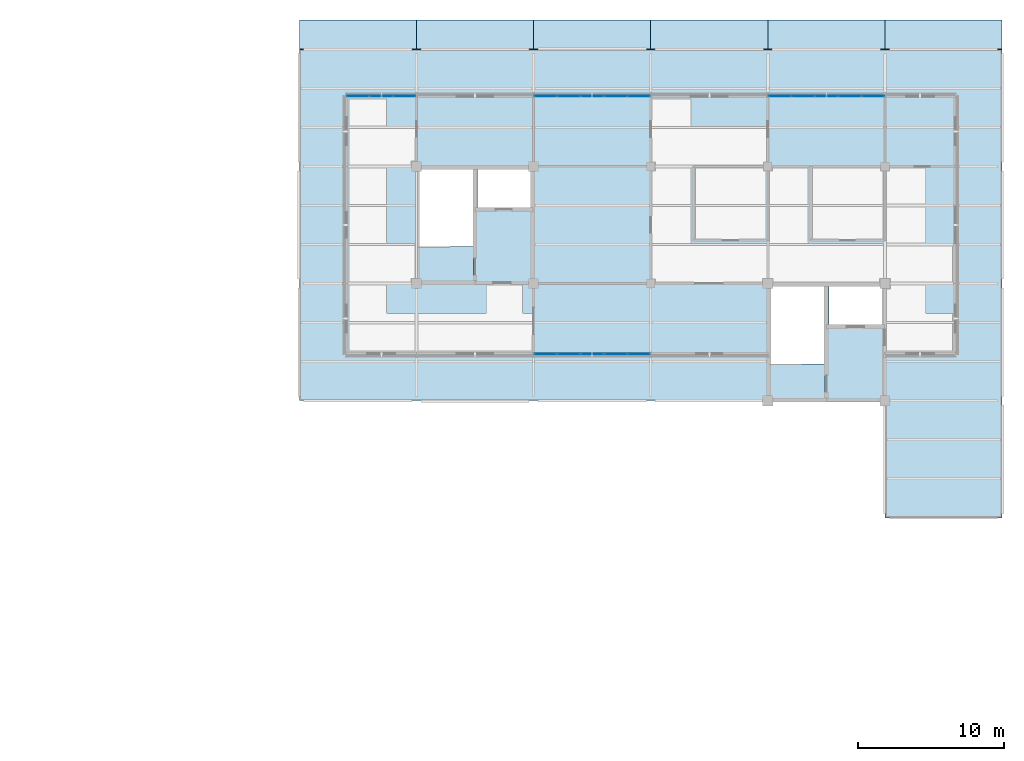
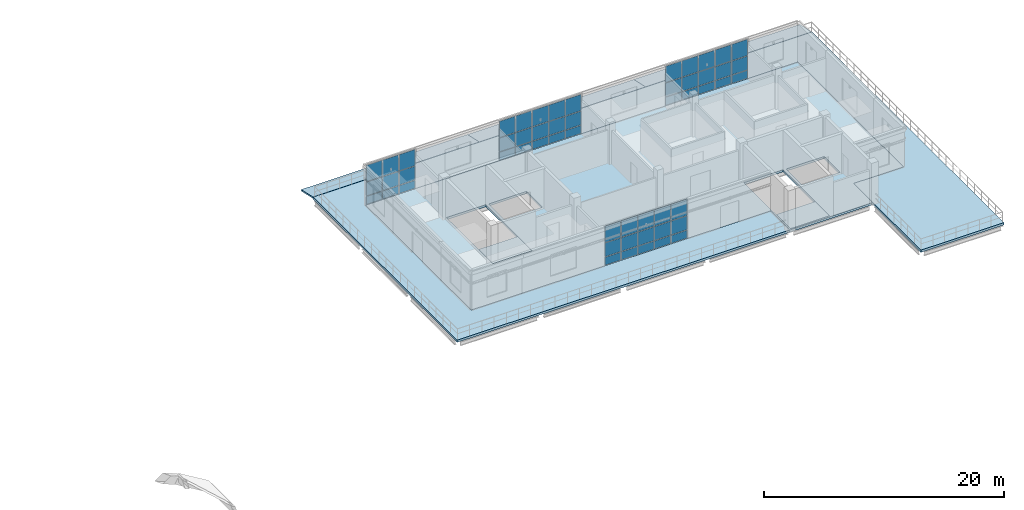
# One storey, part 14 of 24: 54 plates, 10 slabs, 4 elements without a shape of their own.
"""IFC4 building model written with IfcOpenShell, lengths in metres."""

from ifc_helpers import new_model, si_unit, derived_unit, direction, frame, origin, origin_2d, place, context, subcontext, project, spatial, polyline, rectangle, outline, extrude, material, layer, layer_set, type_object, element, aggregate, save


model = new_model("IFC4")

# Units and contexts
model_context = context("Model", 3, precision=1e-05, world=origin(), true_north=direction((0.0, 1.0)))
body_context = subcontext(model_context, "Body", "Model", "MODEL_VIEW")
ifc_project = project(units=[si_unit("LENGTHUNIT", "METRE"), si_unit("AREAUNIT", "SQUARE_METRE"), si_unit("VOLUMEUNIT", "CUBIC_METRE"), si_unit("PLANEANGLEUNIT", "RADIAN"), si_unit("MASSUNIT", "GRAM", prefix="KILO"), derived_unit("THERMALTRANSMITTANCEUNIT", [(si_unit("MASSUNIT", "GRAM", prefix="KILO"), 1), (si_unit("TIMEUNIT", "SECOND"), -3), (si_unit("THERMODYNAMICTEMPERATUREUNIT", "KELVIN"), -1)])], contexts=[model_context])

# Site, building, storey
site_placement = place(None, origin())
site = spatial("IfcSite", under=ifc_project, at=site_placement, CompositionType="ELEMENT")
building_placement = place(site_placement, origin())
building = spatial("IfcBuilding", under=site, at=building_placement, Name="Veyamyaing Civic Hall", CompositionType="ELEMENT")
storey_placement = place(building_placement, frame((0.0, 0.0, 25.739990234375)))
storey = spatial("IfcBuildingStorey", under=building, at=storey_placement, Name="L06", CompositionType="ELEMENT", Elevation=25.739990234375)

# Curtain wall, plates
ifc_material_1 = material(Name="Anodised aluminium 6063-T6", Category="aluminium")
ifc_layer_1 = layer(ifc_material_1, 0.159912109375, Name="Anodised aluminium 6063-T6")
ifc_layer_set_1 = layer_set([ifc_layer_1], Name="Anodised aluminium 6063-T6")
curtain_wall_type = type_object("IfcCurtainWallType", Name="CW-05", PredefinedType="NOTDEFINED", material=ifc_layer_set_1)
curtain_wall_1_placement = place(storey_placement, origin())
curtain_wall_1 = element("IfcCurtainWall", 1, at=curtain_wall_1_placement, inside=storey, type_object=curtain_wall_type, Name="Executive terrace curtain wall CW-05 L06-NE-S-2", PredefinedType="NOTDEFINED")
ifc_material_2 = material(Name="Low-E insulated glass", Category="glass")
ifc_layer_2 = layer(ifc_material_2, 0.0400390625, Name="Low-E insulated glass")
ifc_layer_set_2 = layer_set([ifc_layer_2], Name="Low-E insulated glass")
plate_type = type_object("IfcPlateType", Name="CWP-05", PredefinedType="CURTAIN_PANEL", material=ifc_layer_set_2)
plate_1_placement = place(storey_placement, frame((144.816162109375, 91.199951171875, 0.06494140625), z_axis=(0.0, 0.0, 1.0), x_axis=(1.0, 0.0, 0.0)))
plate_1 = element("IfcPlate", 2, at=plate_1_placement, type_object=plate_type, Name="CW-05 panel 1.1", PredefinedType="CURTAIN_PANEL", context=body_context, shape_type="SweptSolid", body=[
    extrude(rectangle(XDim=1.50244140625, YDim=0.0400390625, at=origin_2d()), origin(), (0.0, 0.0, 1.0), 0.802490234375),
])
plate_2_placement = place(storey_placement, frame((144.816162109375, 91.199951171875, 0.9326171875), z_axis=(0.0, 0.0, 1.0), x_axis=(1.0, 0.0, 0.0)))
plate_2 = element("IfcPlate", 3, at=plate_2_placement, type_object=plate_type, Name="CW-05 panel 1.2", PredefinedType="CURTAIN_PANEL", context=body_context, shape_type="SweptSolid", body=[
    extrude(rectangle(XDim=1.50244140625, YDim=0.0400390625, at=origin_2d()), origin(), (0.0, 0.0, 1.0), 1.385009765625),
])
plate_3_placement = place(storey_placement, frame((144.816162109375, 91.199951171875, 2.382568359375), z_axis=(0.0, 0.0, 1.0), x_axis=(1.0, 0.0, 0.0)))
plate_3 = element("IfcPlate", 4, at=plate_3_placement, type_object=plate_type, Name="CW-05 panel 1.3", PredefinedType="CURTAIN_PANEL", context=body_context, shape_type="SweptSolid", body=[
    extrude(rectangle(XDim=1.50244140625, YDim=0.0400390625, at=origin_2d()), origin(), (0.0, 0.0, 1.0), 1.642578125),
])
plate_4_placement = place(storey_placement, frame((146.39990234375, 91.199951171875, 0.06494140625), z_axis=(0.0, 0.0, 1.0), x_axis=(1.0, 0.0, 0.0)))
plate_4 = element("IfcPlate", 5, at=plate_4_placement, type_object=plate_type, Name="CW-05 panel 2.1", PredefinedType="CURTAIN_PANEL", context=body_context, shape_type="SweptSolid", body=[
    extrude(rectangle(XDim=1.534912109375, YDim=0.0400390625, at=origin_2d()), origin(), (0.0, 0.0, 1.0), 0.802490234375),
])
plate_5_placement = place(storey_placement, frame((146.39990234375, 91.199951171875, 0.9326171875), z_axis=(0.0, 0.0, 1.0), x_axis=(1.0, 0.0, 0.0)))
plate_5 = element("IfcPlate", 6, at=plate_5_placement, type_object=plate_type, Name="CW-05 panel 2.2", PredefinedType="CURTAIN_PANEL", context=body_context, shape_type="SweptSolid", body=[
    extrude(rectangle(XDim=1.534912109375, YDim=0.0400390625, at=origin_2d()), origin(), (0.0, 0.0, 1.0), 1.385009765625),
])
plate_6_placement = place(storey_placement, frame((146.39990234375, 91.199951171875, 2.382568359375), z_axis=(0.0, 0.0, 1.0), x_axis=(1.0, 0.0, 0.0)))
plate_6 = element("IfcPlate", 7, at=plate_6_placement, type_object=plate_type, Name="CW-05 panel 2.3", PredefinedType="CURTAIN_PANEL", context=body_context, shape_type="SweptSolid", body=[
    extrude(rectangle(XDim=1.534912109375, YDim=0.0400390625, at=origin_2d()), origin(), (0.0, 0.0, 1.0), 1.642578125),
])
plate_7_placement = place(storey_placement, frame((148.0, 91.199951171875, 0.06494140625), z_axis=(0.0, 0.0, 1.0), x_axis=(1.0, 0.0, 0.0)))
plate_7 = element("IfcPlate", 8, at=plate_7_placement, type_object=plate_type, Name="CW-05 panel 3.1", PredefinedType="CURTAIN_PANEL", context=body_context, shape_type="SweptSolid", body=[
    extrude(rectangle(XDim=1.534912109375, YDim=0.0400390625, at=origin_2d()), origin(), (0.0, 0.0, 1.0), 0.802490234375),
])
plate_8_placement = place(storey_placement, frame((148.0, 91.199951171875, 0.9326171875), z_axis=(0.0, 0.0, 1.0), x_axis=(1.0, 0.0, 0.0)))
plate_8 = element("IfcPlate", 9, at=plate_8_placement, type_object=plate_type, Name="CW-05 panel 3.2", PredefinedType="CURTAIN_PANEL", context=body_context, shape_type="SweptSolid", body=[
    extrude(rectangle(XDim=1.534912109375, YDim=0.0400390625, at=origin_2d()), origin(), (0.0, 0.0, 1.0), 1.385009765625),
])
plate_9_placement = place(storey_placement, frame((148.0, 91.199951171875, 2.382568359375), z_axis=(0.0, 0.0, 1.0), x_axis=(1.0, 0.0, 0.0)))
plate_9 = element("IfcPlate", 10, at=plate_9_placement, type_object=plate_type, Name="CW-05 panel 3.3", PredefinedType="CURTAIN_PANEL", context=body_context, shape_type="SweptSolid", body=[
    extrude(rectangle(XDim=1.534912109375, YDim=0.0400390625, at=origin_2d()), origin(), (0.0, 0.0, 1.0), 1.642578125),
])
plate_10_placement = place(storey_placement, frame((149.60009765625, 91.199951171875, 0.06494140625), z_axis=(0.0, 0.0, 1.0), x_axis=(1.0, 0.0, 0.0)))
plate_10 = element("IfcPlate", 11, at=plate_10_placement, type_object=plate_type, Name="CW-05 panel 4.1", PredefinedType="CURTAIN_PANEL", context=body_context, shape_type="SweptSolid", body=[
    extrude(rectangle(XDim=1.534912109375, YDim=0.0400390625, at=origin_2d()), origin(), (0.0, 0.0, 1.0), 0.802490234375),
])
plate_11_placement = place(storey_placement, frame((149.60009765625, 91.199951171875, 0.9326171875), z_axis=(0.0, 0.0, 1.0), x_axis=(1.0, 0.0, 0.0)))
plate_11 = element("IfcPlate", 12, at=plate_11_placement, type_object=plate_type, Name="CW-05 panel 4.2", PredefinedType="CURTAIN_PANEL", context=body_context, shape_type="SweptSolid", body=[
    extrude(rectangle(XDim=1.534912109375, YDim=0.0400390625, at=origin_2d()), origin(), (0.0, 0.0, 1.0), 1.385009765625),
])
plate_12_placement = place(storey_placement, frame((149.60009765625, 91.199951171875, 2.382568359375), z_axis=(0.0, 0.0, 1.0), x_axis=(1.0, 0.0, 0.0)))
plate_12 = element("IfcPlate", 13, at=plate_12_placement, type_object=plate_type, Name="CW-05 panel 4.3", PredefinedType="CURTAIN_PANEL", context=body_context, shape_type="SweptSolid", body=[
    extrude(rectangle(XDim=1.534912109375, YDim=0.0400390625, at=origin_2d()), origin(), (0.0, 0.0, 1.0), 1.642578125),
])
plate_13_placement = place(storey_placement, frame((151.183837890625, 91.199951171875, 0.06494140625), z_axis=(0.0, 0.0, 1.0), x_axis=(1.0, 0.0, 0.0)))
plate_13 = element("IfcPlate", 14, at=plate_13_placement, type_object=plate_type, Name="CW-05 panel 5.1", PredefinedType="CURTAIN_PANEL", context=body_context, shape_type="SweptSolid", body=[
    extrude(rectangle(XDim=1.50244140625, YDim=0.0400390625, at=origin_2d()), origin(), (0.0, 0.0, 1.0), 0.802490234375),
])
plate_14_placement = place(storey_placement, frame((151.183837890625, 91.199951171875, 0.9326171875), z_axis=(0.0, 0.0, 1.0), x_axis=(1.0, 0.0, 0.0)))
plate_14 = element("IfcPlate", 15, at=plate_14_placement, type_object=plate_type, Name="CW-05 panel 5.2", PredefinedType="CURTAIN_PANEL", context=body_context, shape_type="SweptSolid", body=[
    extrude(rectangle(XDim=1.50244140625, YDim=0.0400390625, at=origin_2d()), origin(), (0.0, 0.0, 1.0), 1.385009765625),
])
plate_15_placement = place(storey_placement, frame((151.183837890625, 91.199951171875, 2.382568359375), z_axis=(0.0, 0.0, 1.0), x_axis=(1.0, 0.0, 0.0)))
plate_15 = element("IfcPlate", 16, at=plate_15_placement, type_object=plate_type, Name="CW-05 panel 5.3", PredefinedType="CURTAIN_PANEL", context=body_context, shape_type="SweptSolid", body=[
    extrude(rectangle(XDim=1.50244140625, YDim=0.0400390625, at=origin_2d()), origin(), (0.0, 0.0, 1.0), 1.642578125),
])
aggregate(curtain_wall_1, [plate_1, plate_2, plate_3, plate_4, plate_5, plate_6, plate_7, plate_8, plate_9, plate_10, plate_11, plate_12, plate_13, plate_14, plate_15])

curtain_wall_2_placement = place(storey_placement, origin())
curtain_wall_2 = element("IfcCurtainWall", 17, at=curtain_wall_2_placement, inside=storey, type_object=curtain_wall_type, Name="Executive terrace curtain wall CW-05 L06-NE-N-0", PredefinedType="NOTDEFINED")
plate_16_placement = place(storey_placement, frame((132.016357421875, 108.800048828125, 0.06494140625), z_axis=(0.0, 0.0, 1.0), x_axis=(1.0, 0.0, 0.0)))
plate_16 = element("IfcPlate", 18, at=plate_16_placement, type_object=plate_type, Name="CW-05 panel 1.1", PredefinedType="CURTAIN_PANEL", context=body_context, shape_type="SweptSolid", body=[
    extrude(rectangle(XDim=1.50244140625, YDim=0.0400390625, at=origin_2d()), origin(), (0.0, 0.0, 1.0), 0.802490234375),
])
plate_17_placement = place(storey_placement, frame((132.016357421875, 108.800048828125, 0.9326171875), z_axis=(0.0, 0.0, 1.0), x_axis=(1.0, 0.0, 0.0)))
plate_17 = element("IfcPlate", 19, at=plate_17_placement, type_object=plate_type, Name="CW-05 panel 1.2", PredefinedType="CURTAIN_PANEL", context=body_context, shape_type="SweptSolid", body=[
    extrude(rectangle(XDim=1.50244140625, YDim=0.0400390625, at=origin_2d()), origin(), (0.0, 0.0, 1.0), 1.385009765625),
])
plate_18_placement = place(storey_placement, frame((132.016357421875, 108.800048828125, 2.382568359375), z_axis=(0.0, 0.0, 1.0), x_axis=(1.0, 0.0, 0.0)))
plate_18 = element("IfcPlate", 20, at=plate_18_placement, type_object=plate_type, Name="CW-05 panel 1.3", PredefinedType="CURTAIN_PANEL", context=body_context, shape_type="SweptSolid", body=[
    extrude(rectangle(XDim=1.50244140625, YDim=0.0400390625, at=origin_2d()), origin(), (0.0, 0.0, 1.0), 1.642578125),
])
plate_19_placement = place(storey_placement, frame((133.60009765625, 108.800048828125, 0.06494140625), z_axis=(0.0, 0.0, 1.0), x_axis=(1.0, 0.0, 0.0)))
plate_19 = element("IfcPlate", 21, at=plate_19_placement, type_object=plate_type, Name="CW-05 panel 2.1", PredefinedType="CURTAIN_PANEL", context=body_context, shape_type="SweptSolid", body=[
    extrude(rectangle(XDim=1.534912109375, YDim=0.0400390625, at=origin_2d()), origin(), (0.0, 0.0, 1.0), 0.802490234375),
])
plate_20_placement = place(storey_placement, frame((133.60009765625, 108.800048828125, 0.9326171875), z_axis=(0.0, 0.0, 1.0), x_axis=(1.0, 0.0, 0.0)))
plate_20 = element("IfcPlate", 22, at=plate_20_placement, type_object=plate_type, Name="CW-05 panel 2.2", PredefinedType="CURTAIN_PANEL", context=body_context, shape_type="SweptSolid", body=[
    extrude(rectangle(XDim=1.534912109375, YDim=0.0400390625, at=origin_2d()), origin(), (0.0, 0.0, 1.0), 1.385009765625),
])
plate_21_placement = place(storey_placement, frame((133.60009765625, 108.800048828125, 2.382568359375), z_axis=(0.0, 0.0, 1.0), x_axis=(1.0, 0.0, 0.0)))
plate_21 = element("IfcPlate", 23, at=plate_21_placement, type_object=plate_type, Name="CW-05 panel 2.3", PredefinedType="CURTAIN_PANEL", context=body_context, shape_type="SweptSolid", body=[
    extrude(rectangle(XDim=1.534912109375, YDim=0.0400390625, at=origin_2d()), origin(), (0.0, 0.0, 1.0), 1.642578125),
])
plate_22_placement = place(storey_placement, frame((135.183837890625, 108.800048828125, 0.06494140625), z_axis=(0.0, 0.0, 1.0), x_axis=(1.0, 0.0, 0.0)))
plate_22 = element("IfcPlate", 24, at=plate_22_placement, type_object=plate_type, Name="CW-05 panel 3.1", PredefinedType="CURTAIN_PANEL", context=body_context, shape_type="SweptSolid", body=[
    extrude(rectangle(XDim=1.50244140625, YDim=0.0400390625, at=origin_2d()), origin(), (0.0, 0.0, 1.0), 0.802490234375),
])
plate_23_placement = place(storey_placement, frame((135.183837890625, 108.800048828125, 0.9326171875), z_axis=(0.0, 0.0, 1.0), x_axis=(1.0, 0.0, 0.0)))
plate_23 = element("IfcPlate", 25, at=plate_23_placement, type_object=plate_type, Name="CW-05 panel 3.2", PredefinedType="CURTAIN_PANEL", context=body_context, shape_type="SweptSolid", body=[
    extrude(rectangle(XDim=1.50244140625, YDim=0.0400390625, at=origin_2d()), origin(), (0.0, 0.0, 1.0), 1.385009765625),
])
plate_24_placement = place(storey_placement, frame((135.183837890625, 108.800048828125, 2.382568359375), z_axis=(0.0, 0.0, 1.0), x_axis=(1.0, 0.0, 0.0)))
plate_24 = element("IfcPlate", 26, at=plate_24_placement, type_object=plate_type, Name="CW-05 panel 3.3", PredefinedType="CURTAIN_PANEL", context=body_context, shape_type="SweptSolid", body=[
    extrude(rectangle(XDim=1.50244140625, YDim=0.0400390625, at=origin_2d()), origin(), (0.0, 0.0, 1.0), 1.642578125),
])
aggregate(curtain_wall_2, [plate_16, plate_17, plate_18, plate_19, plate_20, plate_21, plate_22, plate_23, plate_24])

curtain_wall_3_placement = place(storey_placement, origin())
curtain_wall_3 = element("IfcCurtainWall", 27, at=curtain_wall_3_placement, inside=storey, type_object=curtain_wall_type, Name="Executive terrace curtain wall CW-05 L06-NE-N-2", PredefinedType="NOTDEFINED")
plate_25_placement = place(storey_placement, frame((144.816162109375, 108.800048828125, 0.06494140625), z_axis=(0.0, 0.0, 1.0), x_axis=(1.0, 0.0, 0.0)))
plate_25 = element("IfcPlate", 28, at=plate_25_placement, type_object=plate_type, Name="CW-05 panel 1.1", PredefinedType="CURTAIN_PANEL", context=body_context, shape_type="SweptSolid", body=[
    extrude(rectangle(XDim=1.50244140625, YDim=0.0400390625, at=origin_2d()), origin(), (0.0, 0.0, 1.0), 0.802490234375),
])
plate_26_placement = place(storey_placement, frame((144.816162109375, 108.800048828125, 0.9326171875), z_axis=(0.0, 0.0, 1.0), x_axis=(1.0, 0.0, 0.0)))
plate_26 = element("IfcPlate", 29, at=plate_26_placement, type_object=plate_type, Name="CW-05 panel 1.2", PredefinedType="CURTAIN_PANEL", context=body_context, shape_type="SweptSolid", body=[
    extrude(rectangle(XDim=1.50244140625, YDim=0.0400390625, at=origin_2d()), origin(), (0.0, 0.0, 1.0), 1.385009765625),
])
plate_27_placement = place(storey_placement, frame((144.816162109375, 108.800048828125, 2.382568359375), z_axis=(0.0, 0.0, 1.0), x_axis=(1.0, 0.0, 0.0)))
plate_27 = element("IfcPlate", 30, at=plate_27_placement, type_object=plate_type, Name="CW-05 panel 1.3", PredefinedType="CURTAIN_PANEL", context=body_context, shape_type="SweptSolid", body=[
    extrude(rectangle(XDim=1.50244140625, YDim=0.0400390625, at=origin_2d()), origin(), (0.0, 0.0, 1.0), 1.642578125),
])
plate_28_placement = place(storey_placement, frame((146.39990234375, 108.800048828125, 0.06494140625), z_axis=(0.0, 0.0, 1.0), x_axis=(1.0, 0.0, 0.0)))
plate_28 = element("IfcPlate", 31, at=plate_28_placement, type_object=plate_type, Name="CW-05 panel 2.1", PredefinedType="CURTAIN_PANEL", context=body_context, shape_type="SweptSolid", body=[
    extrude(rectangle(XDim=1.534912109375, YDim=0.0400390625, at=origin_2d()), origin(), (0.0, 0.0, 1.0), 0.802490234375),
])
plate_29_placement = place(storey_placement, frame((146.39990234375, 108.800048828125, 0.9326171875), z_axis=(0.0, 0.0, 1.0), x_axis=(1.0, 0.0, 0.0)))
plate_29 = element("IfcPlate", 32, at=plate_29_placement, type_object=plate_type, Name="CW-05 panel 2.2", PredefinedType="CURTAIN_PANEL", context=body_context, shape_type="SweptSolid", body=[
    extrude(rectangle(XDim=1.534912109375, YDim=0.0400390625, at=origin_2d()), origin(), (0.0, 0.0, 1.0), 1.385009765625),
])
plate_30_placement = place(storey_placement, frame((146.39990234375, 108.800048828125, 2.382568359375), z_axis=(0.0, 0.0, 1.0), x_axis=(1.0, 0.0, 0.0)))
plate_30 = element("IfcPlate", 33, at=plate_30_placement, type_object=plate_type, Name="CW-05 panel 2.3", PredefinedType="CURTAIN_PANEL", context=body_context, shape_type="SweptSolid", body=[
    extrude(rectangle(XDim=1.534912109375, YDim=0.0400390625, at=origin_2d()), origin(), (0.0, 0.0, 1.0), 1.642578125),
])
plate_31_placement = place(storey_placement, frame((148.0, 108.800048828125, 0.06494140625), z_axis=(0.0, 0.0, 1.0), x_axis=(1.0, 0.0, 0.0)))
plate_31 = element("IfcPlate", 34, at=plate_31_placement, type_object=plate_type, Name="CW-05 panel 3.1", PredefinedType="CURTAIN_PANEL", context=body_context, shape_type="SweptSolid", body=[
    extrude(rectangle(XDim=1.534912109375, YDim=0.0400390625, at=origin_2d()), origin(), (0.0, 0.0, 1.0), 0.802490234375),
])
plate_32_placement = place(storey_placement, frame((148.0, 108.800048828125, 0.9326171875), z_axis=(0.0, 0.0, 1.0), x_axis=(1.0, 0.0, 0.0)))
plate_32 = element("IfcPlate", 35, at=plate_32_placement, type_object=plate_type, Name="CW-05 panel 3.2", PredefinedType="CURTAIN_PANEL", context=body_context, shape_type="SweptSolid", body=[
    extrude(rectangle(XDim=1.534912109375, YDim=0.0400390625, at=origin_2d()), origin(), (0.0, 0.0, 1.0), 1.385009765625),
])
plate_33_placement = place(storey_placement, frame((148.0, 108.800048828125, 2.382568359375), z_axis=(0.0, 0.0, 1.0), x_axis=(1.0, 0.0, 0.0)))
plate_33 = element("IfcPlate", 36, at=plate_33_placement, type_object=plate_type, Name="CW-05 panel 3.3", PredefinedType="CURTAIN_PANEL", context=body_context, shape_type="SweptSolid", body=[
    extrude(rectangle(XDim=1.534912109375, YDim=0.0400390625, at=origin_2d()), origin(), (0.0, 0.0, 1.0), 1.642578125),
])
plate_34_placement = place(storey_placement, frame((149.60009765625, 108.800048828125, 0.06494140625), z_axis=(0.0, 0.0, 1.0), x_axis=(1.0, 0.0, 0.0)))
plate_34 = element("IfcPlate", 37, at=plate_34_placement, type_object=plate_type, Name="CW-05 panel 4.1", PredefinedType="CURTAIN_PANEL", context=body_context, shape_type="SweptSolid", body=[
    extrude(rectangle(XDim=1.534912109375, YDim=0.0400390625, at=origin_2d()), origin(), (0.0, 0.0, 1.0), 0.802490234375),
])
plate_35_placement = place(storey_placement, frame((149.60009765625, 108.800048828125, 0.9326171875), z_axis=(0.0, 0.0, 1.0), x_axis=(1.0, 0.0, 0.0)))
plate_35 = element("IfcPlate", 38, at=plate_35_placement, type_object=plate_type, Name="CW-05 panel 4.2", PredefinedType="CURTAIN_PANEL", context=body_context, shape_type="SweptSolid", body=[
    extrude(rectangle(XDim=1.534912109375, YDim=0.0400390625, at=origin_2d()), origin(), (0.0, 0.0, 1.0), 1.385009765625),
])
plate_36_placement = place(storey_placement, frame((149.60009765625, 108.800048828125, 2.382568359375), z_axis=(0.0, 0.0, 1.0), x_axis=(1.0, 0.0, 0.0)))
plate_36 = element("IfcPlate", 39, at=plate_36_placement, type_object=plate_type, Name="CW-05 panel 4.3", PredefinedType="CURTAIN_PANEL", context=body_context, shape_type="SweptSolid", body=[
    extrude(rectangle(XDim=1.534912109375, YDim=0.0400390625, at=origin_2d()), origin(), (0.0, 0.0, 1.0), 1.642578125),
])
plate_37_placement = place(storey_placement, frame((151.183837890625, 108.800048828125, 0.06494140625), z_axis=(0.0, 0.0, 1.0), x_axis=(1.0, 0.0, 0.0)))
plate_37 = element("IfcPlate", 40, at=plate_37_placement, type_object=plate_type, Name="CW-05 panel 5.1", PredefinedType="CURTAIN_PANEL", context=body_context, shape_type="SweptSolid", body=[
    extrude(rectangle(XDim=1.50244140625, YDim=0.0400390625, at=origin_2d()), origin(), (0.0, 0.0, 1.0), 0.802490234375),
])
plate_38_placement = place(storey_placement, frame((151.183837890625, 108.800048828125, 0.9326171875), z_axis=(0.0, 0.0, 1.0), x_axis=(1.0, 0.0, 0.0)))
plate_38 = element("IfcPlate", 41, at=plate_38_placement, type_object=plate_type, Name="CW-05 panel 5.2", PredefinedType="CURTAIN_PANEL", context=body_context, shape_type="SweptSolid", body=[
    extrude(rectangle(XDim=1.50244140625, YDim=0.0400390625, at=origin_2d()), origin(), (0.0, 0.0, 1.0), 1.385009765625),
])
plate_39_placement = place(storey_placement, frame((151.183837890625, 108.800048828125, 2.382568359375), z_axis=(0.0, 0.0, 1.0), x_axis=(1.0, 0.0, 0.0)))
plate_39 = element("IfcPlate", 42, at=plate_39_placement, type_object=plate_type, Name="CW-05 panel 5.3", PredefinedType="CURTAIN_PANEL", context=body_context, shape_type="SweptSolid", body=[
    extrude(rectangle(XDim=1.50244140625, YDim=0.0400390625, at=origin_2d()), origin(), (0.0, 0.0, 1.0), 1.642578125),
])
aggregate(curtain_wall_3, [plate_25, plate_26, plate_27, plate_28, plate_29, plate_30, plate_31, plate_32, plate_33, plate_34, plate_35, plate_36, plate_37, plate_38, plate_39])

curtain_wall_4_placement = place(storey_placement, origin())
curtain_wall_4 = element("IfcCurtainWall", 43, at=curtain_wall_4_placement, inside=storey, type_object=curtain_wall_type, Name="Executive terrace curtain wall CW-05 L06-NE-N-4", PredefinedType="NOTDEFINED")
plate_40_placement = place(storey_placement, frame((160.816162109375, 108.800048828125, 0.06494140625), z_axis=(0.0, 0.0, 1.0), x_axis=(1.0, 0.0, 0.0)))
plate_40 = element("IfcPlate", 44, at=plate_40_placement, type_object=plate_type, Name="CW-05 panel 1.1", PredefinedType="CURTAIN_PANEL", context=body_context, shape_type="SweptSolid", body=[
    extrude(rectangle(XDim=1.50244140625, YDim=0.0400390625, at=origin_2d()), origin(), (0.0, 0.0, 1.0), 0.802490234375),
])
plate_41_placement = place(storey_placement, frame((160.816162109375, 108.800048828125, 0.9326171875), z_axis=(0.0, 0.0, 1.0), x_axis=(1.0, 0.0, 0.0)))
plate_41 = element("IfcPlate", 45, at=plate_41_placement, type_object=plate_type, Name="CW-05 panel 1.2", PredefinedType="CURTAIN_PANEL", context=body_context, shape_type="SweptSolid", body=[
    extrude(rectangle(XDim=1.50244140625, YDim=0.0400390625, at=origin_2d()), origin(), (0.0, 0.0, 1.0), 1.385009765625),
])
plate_42_placement = place(storey_placement, frame((160.816162109375, 108.800048828125, 2.382568359375), z_axis=(0.0, 0.0, 1.0), x_axis=(1.0, 0.0, 0.0)))
plate_42 = element("IfcPlate", 46, at=plate_42_placement, type_object=plate_type, Name="CW-05 panel 1.3", PredefinedType="CURTAIN_PANEL", context=body_context, shape_type="SweptSolid", body=[
    extrude(rectangle(XDim=1.50244140625, YDim=0.0400390625, at=origin_2d()), origin(), (0.0, 0.0, 1.0), 1.642578125),
])
plate_43_placement = place(storey_placement, frame((162.39990234375, 108.800048828125, 0.06494140625), z_axis=(0.0, 0.0, 1.0), x_axis=(1.0, 0.0, 0.0)))
plate_43 = element("IfcPlate", 47, at=plate_43_placement, type_object=plate_type, Name="CW-05 panel 2.1", PredefinedType="CURTAIN_PANEL", context=body_context, shape_type="SweptSolid", body=[
    extrude(rectangle(XDim=1.534912109375, YDim=0.0400390625, at=origin_2d()), origin(), (0.0, 0.0, 1.0), 0.802490234375),
])
plate_44_placement = place(storey_placement, frame((162.39990234375, 108.800048828125, 0.9326171875), z_axis=(0.0, 0.0, 1.0), x_axis=(1.0, 0.0, 0.0)))
plate_44 = element("IfcPlate", 48, at=plate_44_placement, type_object=plate_type, Name="CW-05 panel 2.2", PredefinedType="CURTAIN_PANEL", context=body_context, shape_type="SweptSolid", body=[
    extrude(rectangle(XDim=1.534912109375, YDim=0.0400390625, at=origin_2d()), origin(), (0.0, 0.0, 1.0), 1.385009765625),
])
plate_45_placement = place(storey_placement, frame((162.39990234375, 108.800048828125, 2.382568359375), z_axis=(0.0, 0.0, 1.0), x_axis=(1.0, 0.0, 0.0)))
plate_45 = element("IfcPlate", 49, at=plate_45_placement, type_object=plate_type, Name="CW-05 panel 2.3", PredefinedType="CURTAIN_PANEL", context=body_context, shape_type="SweptSolid", body=[
    extrude(rectangle(XDim=1.534912109375, YDim=0.0400390625, at=origin_2d()), origin(), (0.0, 0.0, 1.0), 1.642578125),
])
plate_46_placement = place(storey_placement, frame((164.0, 108.800048828125, 0.06494140625), z_axis=(0.0, 0.0, 1.0), x_axis=(1.0, 0.0, 0.0)))
plate_46 = element("IfcPlate", 50, at=plate_46_placement, type_object=plate_type, Name="CW-05 panel 3.1", PredefinedType="CURTAIN_PANEL", context=body_context, shape_type="SweptSolid", body=[
    extrude(rectangle(XDim=1.534912109375, YDim=0.0400390625, at=origin_2d()), origin(), (0.0, 0.0, 1.0), 0.802490234375),
])
plate_47_placement = place(storey_placement, frame((164.0, 108.800048828125, 0.9326171875), z_axis=(0.0, 0.0, 1.0), x_axis=(1.0, 0.0, 0.0)))
plate_47 = element("IfcPlate", 51, at=plate_47_placement, type_object=plate_type, Name="CW-05 panel 3.2", PredefinedType="CURTAIN_PANEL", context=body_context, shape_type="SweptSolid", body=[
    extrude(rectangle(XDim=1.534912109375, YDim=0.0400390625, at=origin_2d()), origin(), (0.0, 0.0, 1.0), 1.385009765625),
])
plate_48_placement = place(storey_placement, frame((164.0, 108.800048828125, 2.382568359375), z_axis=(0.0, 0.0, 1.0), x_axis=(1.0, 0.0, 0.0)))
plate_48 = element("IfcPlate", 52, at=plate_48_placement, type_object=plate_type, Name="CW-05 panel 3.3", PredefinedType="CURTAIN_PANEL", context=body_context, shape_type="SweptSolid", body=[
    extrude(rectangle(XDim=1.534912109375, YDim=0.0400390625, at=origin_2d()), origin(), (0.0, 0.0, 1.0), 1.642578125),
])
plate_49_placement = place(storey_placement, frame((165.60009765625, 108.800048828125, 0.06494140625), z_axis=(0.0, 0.0, 1.0), x_axis=(1.0, 0.0, 0.0)))
plate_49 = element("IfcPlate", 53, at=plate_49_placement, type_object=plate_type, Name="CW-05 panel 4.1", PredefinedType="CURTAIN_PANEL", context=body_context, shape_type="SweptSolid", body=[
    extrude(rectangle(XDim=1.534912109375, YDim=0.0400390625, at=origin_2d()), origin(), (0.0, 0.0, 1.0), 0.802490234375),
])
plate_50_placement = place(storey_placement, frame((165.60009765625, 108.800048828125, 0.9326171875), z_axis=(0.0, 0.0, 1.0), x_axis=(1.0, 0.0, 0.0)))
plate_50 = element("IfcPlate", 54, at=plate_50_placement, type_object=plate_type, Name="CW-05 panel 4.2", PredefinedType="CURTAIN_PANEL", context=body_context, shape_type="SweptSolid", body=[
    extrude(rectangle(XDim=1.534912109375, YDim=0.0400390625, at=origin_2d()), origin(), (0.0, 0.0, 1.0), 1.385009765625),
])
plate_51_placement = place(storey_placement, frame((165.60009765625, 108.800048828125, 2.382568359375), z_axis=(0.0, 0.0, 1.0), x_axis=(1.0, 0.0, 0.0)))
plate_51 = element("IfcPlate", 55, at=plate_51_placement, type_object=plate_type, Name="CW-05 panel 4.3", PredefinedType="CURTAIN_PANEL", context=body_context, shape_type="SweptSolid", body=[
    extrude(rectangle(XDim=1.534912109375, YDim=0.0400390625, at=origin_2d()), origin(), (0.0, 0.0, 1.0), 1.642578125),
])
plate_52_placement = place(storey_placement, frame((167.183837890625, 108.800048828125, 0.06494140625), z_axis=(0.0, 0.0, 1.0), x_axis=(1.0, 0.0, 0.0)))
plate_52 = element("IfcPlate", 56, at=plate_52_placement, type_object=plate_type, Name="CW-05 panel 5.1", PredefinedType="CURTAIN_PANEL", context=body_context, shape_type="SweptSolid", body=[
    extrude(rectangle(XDim=1.50244140625, YDim=0.0400390625, at=origin_2d()), origin(), (0.0, 0.0, 1.0), 0.802490234375),
])
plate_53_placement = place(storey_placement, frame((167.183837890625, 108.800048828125, 0.9326171875), z_axis=(0.0, 0.0, 1.0), x_axis=(1.0, 0.0, 0.0)))
plate_53 = element("IfcPlate", 57, at=plate_53_placement, type_object=plate_type, Name="CW-05 panel 5.2", PredefinedType="CURTAIN_PANEL", context=body_context, shape_type="SweptSolid", body=[
    extrude(rectangle(XDim=1.50244140625, YDim=0.0400390625, at=origin_2d()), origin(), (0.0, 0.0, 1.0), 1.385009765625),
])
plate_54_placement = place(storey_placement, frame((167.183837890625, 108.800048828125, 2.382568359375), z_axis=(0.0, 0.0, 1.0), x_axis=(1.0, 0.0, 0.0)))
plate_54 = element("IfcPlate", 58, at=plate_54_placement, type_object=plate_type, Name="CW-05 panel 5.3", PredefinedType="CURTAIN_PANEL", context=body_context, shape_type="SweptSolid", body=[
    extrude(rectangle(XDim=1.50244140625, YDim=0.0400390625, at=origin_2d()), origin(), (0.0, 0.0, 1.0), 1.642578125),
])
aggregate(curtain_wall_4, [plate_40, plate_41, plate_42, plate_43, plate_44, plate_45, plate_46, plate_47, plate_48, plate_49, plate_50, plate_51, plate_52, plate_53, plate_54])

# Slabs
ifc_material_3 = material(Name="Concrete C40/50", Category="concrete")
ifc_layer_3 = layer(ifc_material_3, 0.22509765625, Name="Concrete C40/50")
ifc_layer_set_3 = layer_set([ifc_layer_3], Name="Concrete C40/50")
slab_type_1 = type_object("IfcSlabType", Name="SL-07", PredefinedType="FLOOR", material=ifc_layer_set_3)
slab_1_placement = place(storey_placement, frame((0.0, 0.0, -0.22509765625)))
element("IfcSlab", 59, at=slab_1_placement, inside=storey, type_object=slab_type_1, Name="Floor slab SL-07 L06 V4NE.1", PredefinedType="FLOOR", context=body_context, shape_type="SweptSolid", body=[
    extrude(outline(polyline([(160.0, 91.199951171875), (131.199951171875, 91.199951171875), (131.199951171875, 108.800048828125), (172.800048828125, 108.800048828125), (172.800048828125, 91.199951171875), (168.0, 91.199951171875), (168.0, 88.0), (160.0, 88.0), (160.0, 91.199951171875)]), holes=[polyline([(160.139892578125, 95.860107421875), (160.139892578125, 88.139892578125), (163.909912109375, 88.139892578125), (163.909912109375, 95.860107421875), (160.139892578125, 95.860107421875)]), polyline([(164.179931640625, 95.820068359375), (164.179931640625, 93.179931640625), (167.820068359375, 93.179931640625), (167.820068359375, 95.820068359375), (164.179931640625, 95.820068359375)]), polyline([(136.139892578125, 103.860107421875), (136.139892578125, 96.139892578125), (139.909912109375, 96.139892578125), (139.909912109375, 103.860107421875), (136.139892578125, 103.860107421875)]), polyline([(140.179931640625, 103.820068359375), (140.179931640625, 101.179931640625), (143.820068359375, 101.179931640625), (143.820068359375, 103.820068359375), (140.179931640625, 103.820068359375)])]), origin(), (0.0, 0.0, 1.0), 0.22509765625),
])
ifc_layer_4 = layer(ifc_material_3, 0.22998046875, Name="Concrete C40/50")
ifc_layer_set_4 = layer_set([ifc_layer_4], Name="Concrete C40/50")
slab_type_2 = type_object("IfcSlabType", Name="SL-08", PredefinedType="ROOF", material=ifc_layer_set_4)
slab_2_placement = place(storey_placement, frame((0.0, 0.0, -0.22998046875)))
element("IfcSlab", 60, at=slab_2_placement, inside=storey, type_object=slab_type_2, Name="Setback planted roof terrace slab SL-08 L06.2", PredefinedType="ROOF", context=body_context, shape_type="SweptSolid", body=[
    extrude(outline(polyline([(128.0, 88.0), (128.0, 96.0), (128.0, 104.0), (128.0, 112.0), (136.0, 112.0), (144.0, 112.0), (152.0, 112.0), (160.0, 112.0), (168.0, 112.0), (176.0, 112.0), (176.0, 104.0), (176.0, 96.0), (176.0, 88.0), (176.0, 80.0), (168.0, 80.0), (168.0, 88.0), (168.0, 91.199951171875), (172.800048828125, 91.199951171875), (172.800048828125, 108.800048828125), (131.199951171875, 108.800048828125), (131.199951171875, 91.199951171875), (160.0, 91.199951171875), (160.0, 88.0), (152.0, 88.0), (144.0, 88.0), (136.0, 88.0), (128.0, 88.0)])), origin(), (0.0, 0.0, 1.0), 0.22998046875),
])
ifc_layer_5 = layer(ifc_material_3, 0.14990234375, Name="Concrete C40/50")
ifc_layer_set_5 = layer_set([ifc_layer_5], Name="Concrete C40/50")
slab_type_3 = type_object("IfcSlabType", Name="SL-13", PredefinedType="ROOF", material=ifc_layer_set_5)
for number, where, z_axis, x_axis, name in (
    (61, (128.0, 112.01806640625, 0.0), (0.0, 0.221392645263, 0.975184749995), (1.0, 0.0, 0.0), "Sacak overhanging monsoon eave slab SL-13 V4-NE.17"),
    (62, (136.0, 112.01806640625, 0.0), (0.0, 0.221392645263, 0.975184749995), (1.0, 0.0, 0.0), "Sacak overhanging monsoon eave slab SL-13 V4-NE.18"),
    (63, (144.0, 112.01806640625, 0.0), (0.0, 0.221392645263, 0.975184749995), (1.0, 0.0, 0.0), "Sacak overhanging monsoon eave slab SL-13 V4-NE.19"),
    (64, (152.0, 112.01806640625, 0.0), (0.0, 0.221392645263, 0.975184749995), (1.0, 0.0, 0.0), "Sacak overhanging monsoon eave slab SL-13 V4-NE.20"),
    (65, (160.0, 112.01806640625, 0.0), (0.0, 0.221392645263, 0.975184749995), (1.0, 0.0, 0.0), "Sacak overhanging monsoon eave slab SL-13 V4-NE.21"),
    (66, (168.0, 112.01806640625, 0.0), (0.0, 0.221392645263, 0.975184749995), (1.0, 0.0, 0.0), "Sacak overhanging monsoon eave slab SL-13 V4-NE.22"),
):
    element("IfcSlab", number, at=place(storey_placement, frame(where, z_axis=z_axis, x_axis=x_axis)), inside=storey, type_object=slab_type_3, Name=name, PredefinedType="ROOF", context=body_context, shape_type="SweptSolid", body=[
        extrude(outline(polyline([(0.0, 0.0), (8.0, 0.0), (8.0, 2.0323672963090296), (0.0, 2.0323672963090296), (0.0, 0.0)])), origin(), (0.0, 0.0, -1.0), 0.14990234375),
    ])
ifc_layer_6 = layer(ifc_material_3, 0.199951171875, Name="Concrete C40/50")
ifc_layer_set_6 = layer_set([ifc_layer_6], Name="Concrete C40/50")
slab_type_4 = type_object("IfcSlabType", Name="SL-16", PredefinedType="FLOOR", material=ifc_layer_set_6)
slab_3_placement = place(storey_placement, frame((0.0, 0.0, -0.199951171875)))
element("IfcSlab", 67, at=slab_3_placement, inside=storey, type_object=slab_type_4, Name="Stair floor landing slab SL-16 ST-03 L06", PredefinedType="FLOOR", context=body_context, shape_type="SweptSolid", body=[
    extrude(outline(polyline([(160.139892578125, 88.139892578125), (163.909912109375, 88.139892578125), (163.909912109375, 90.52001953125), (160.139892578125, 90.52001953125), (160.139892578125, 88.139892578125)])), origin(), (0.0, 0.0, 1.0), 0.199951171875),
])
slab_4_placement = place(storey_placement, frame((0.0, 0.0, -0.199951171875)))
element("IfcSlab", 68, at=slab_4_placement, inside=storey, type_object=slab_type_4, Name="Stair floor landing slab SL-16 ST-04 L06", PredefinedType="FLOOR", context=body_context, shape_type="SweptSolid", body=[
    extrude(outline(polyline([(136.139892578125, 96.139892578125), (139.909912109375, 96.139892578125), (139.909912109375, 98.52001953125), (136.139892578125, 98.52001953125), (136.139892578125, 96.139892578125)])), origin(), (0.0, 0.0, 1.0), 0.199951171875),
])

save(model, "model.ifc")
